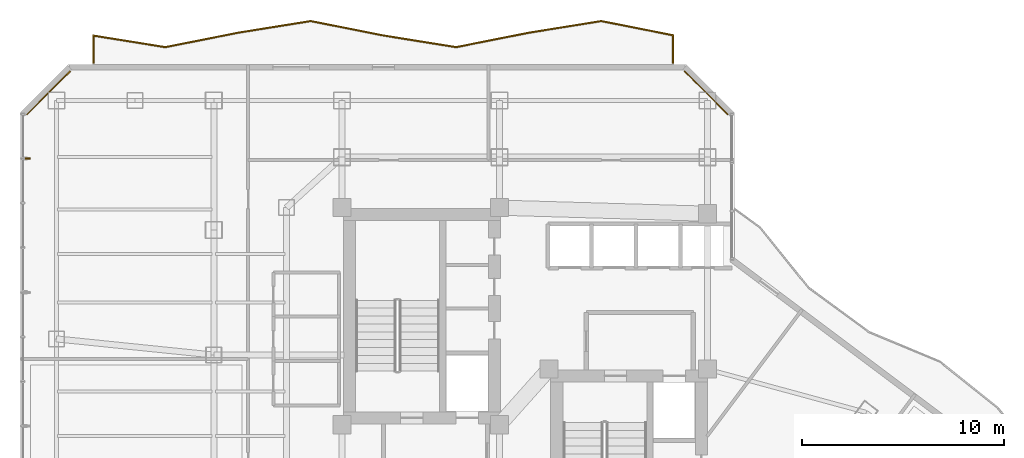
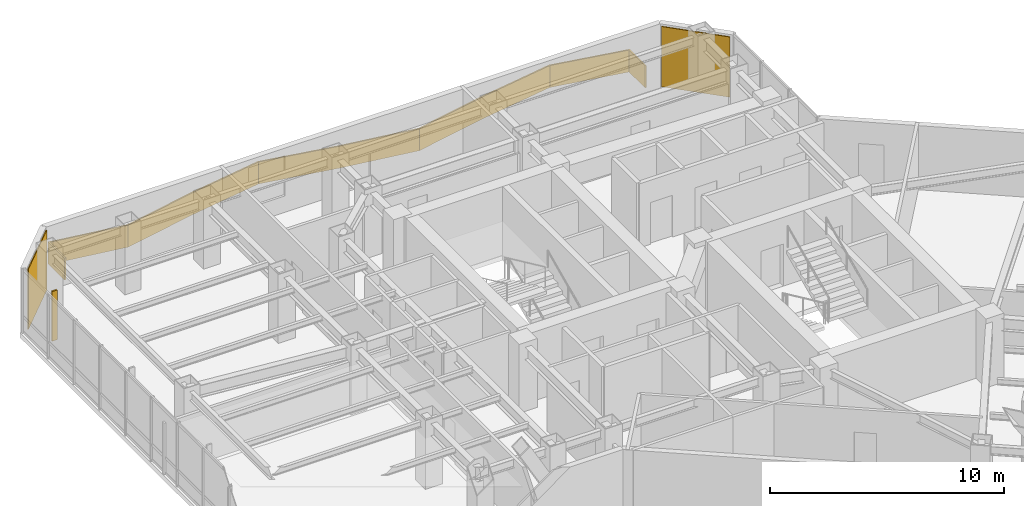
# One storey, part 28 of 28: 2 coverings, 1 railing, 1 shading device.
"""IFC4 building model written with IfcOpenShell, lengths in metres."""

from ifc_helpers import new_model, si_unit, direction, frame, origin, origin_2d, place, context, subcontext, project, spatial, polyline, rectangle, outline, extrude, material, layer, layer_set, type_object, element, save


model = new_model("IFC4")

# Units and contexts
model_context = context("Model", 3, precision=1e-05, world=origin(), true_north=direction((0.0, 1.0)))
body_context = subcontext(model_context, "Body", "Model", "MODEL_VIEW")
ifc_project = project(units=[si_unit("LENGTHUNIT", "METRE"), si_unit("AREAUNIT", "SQUARE_METRE"), si_unit("VOLUMEUNIT", "CUBIC_METRE"), si_unit("PLANEANGLEUNIT", "RADIAN"), si_unit("MASSUNIT", "GRAM", prefix="KILO")], contexts=[model_context])

# Site, building, storey
site_placement = place(None, origin())
site = spatial("IfcSite", under=ifc_project, at=site_placement, CompositionType="ELEMENT")
building_placement = place(site_placement, origin())
building = spatial("IfcBuilding", under=site, at=building_placement, Name="Hatsunagi Terrace Concourse", CompositionType="ELEMENT")
storey_placement = place(building_placement, frame((0.0, 0.0, 138.449951171875)))
storey = spatial("IfcBuildingStorey", under=building, at=storey_placement, Name="L36", CompositionType="ELEMENT", Elevation=138.449951171875)

# Railing
ifc_material_1 = material(Name="Laminated Glass and Stainless Steel Guard", Category="steel")
ifc_layer_1 = layer(ifc_material_1, 0.070068359375)
ifc_layer_set_1 = layer_set([ifc_layer_1], Name="BalconyGlassGuardRail_1150")
railing_type = type_object("IfcRailingType", Name="BalconyGlassGuardRail_1150", PredefinedType="BALUSTRADE", material=ifc_layer_set_1)
railing_placement = place(storey_placement, origin())
element("IfcRailing", 1, at=railing_placement, inside=storey, type_object=railing_type, Name="Engawa Balcony Guard GRD-01 L36-BN-1", PredefinedType="BALUSTRADE", context=body_context, shape_type="SweptSolid", body=[
    extrude(outline(polyline([(13.215087890625, 50.449951171875), (13.284912109375, 50.449951171875), (13.284912109375, 51.781982421875), (16.8017578125, 51.21728515625), (20.415283203125, 51.9345703125), (23.998291015625, 52.509521484375), (27.584716796875, 51.798583984375), (31.20166015625, 51.21728515625), (34.815185546875, 51.9345703125), (38.398193359375, 52.509521484375), (41.9150390625, 51.812255859375), (41.9150390625, 50.449951171875), (41.985107421875, 50.449951171875), (41.985107421875, 51.86962890625), (38.399658203125, 52.58056640625), (34.802734375, 52.00341796875), (31.2001953125, 51.28857421875), (27.59716796875, 51.867431640625), (23.999755859375, 52.58056640625), (20.40283203125, 52.00341796875), (16.80029296875, 51.28857421875), (13.215087890625, 51.864013671875), (13.215087890625, 50.449951171875)])), origin(), (0.0, 0.0, 1.0), 1.150146484375),
])

# Shading device
ifc_material_2 = material(Name="Extruded Unglazed Terracotta Baguette", Category="masonry")
shading_device_type = type_object("IfcShadingDeviceType", Name="TerracottaFinScreen_260x70", PredefinedType="USERDEFINED", material=ifc_material_2)
shading_device_placement = place(storey_placement, frame((9.989990234375, 45.73388671875, 0.85009765625), z_axis=(0.0, 0.0, 1.0), x_axis=(0.0, 1.0, 0.0)))
element("IfcShadingDevice", 2, at=shading_device_placement, inside=storey, type_object=shading_device_type, Name="Terracotta Baguette Fin Screen SCR-01", ObjectType="SUNSHADE", PredefinedType="USERDEFINED", context=body_context, shape_type="SweptSolid", body=[
    extrude(rectangle(XDim=0.070068359375, YDim=0.260009765625, at=origin_2d()), origin(), (0.0, 0.0, 1.0), 2.60009765625),
])

# Coverings
ifc_material_3 = material(Name="Unglazed Warm Terracotta Rainscreen Tile", Category="masonry")
ifc_layer_2 = layer(ifc_material_3, 0.044921875)
ifc_layer_set_2 = layer_set([ifc_layer_2], Name="TerracottaRainscreenCladding_45")
covering_type = type_object("IfcCoveringType", Name="TerracottaRainscreenCladding_45", PredefinedType="CLADDING", material=ifc_layer_set_2)
for number, where, z_axis, x_axis, name in (
    (3, (11.013916015625, 48.986083984375, 0.10009765625), (0.0, 0.0, 1.0), (0.707106781187, 0.707106781187, 0.0), "Terracotta Rainscreen Cladding L36-10"),
    (4, (43.5859375, 48.986083984375, 0.10009765625), (0.0, 0.0, 1.0), (0.707106781187, -0.707106781187, 0.0), "Terracotta Rainscreen Cladding L36-12"),
):
    element("IfcCovering", number, at=place(storey_placement, frame(where, z_axis=z_axis, x_axis=x_axis)), inside=storey, type_object=covering_type, Name=name, PredefinedType="CLADDING", context=body_context, shape_type="SweptSolid", body=[
        extrude(rectangle(XDim=3.0380859375, YDim=0.044921875, at=origin_2d()), origin(), (0.0, 0.0, 1.0), 3.14990234375),
    ])

save(model, "model.ifc")
